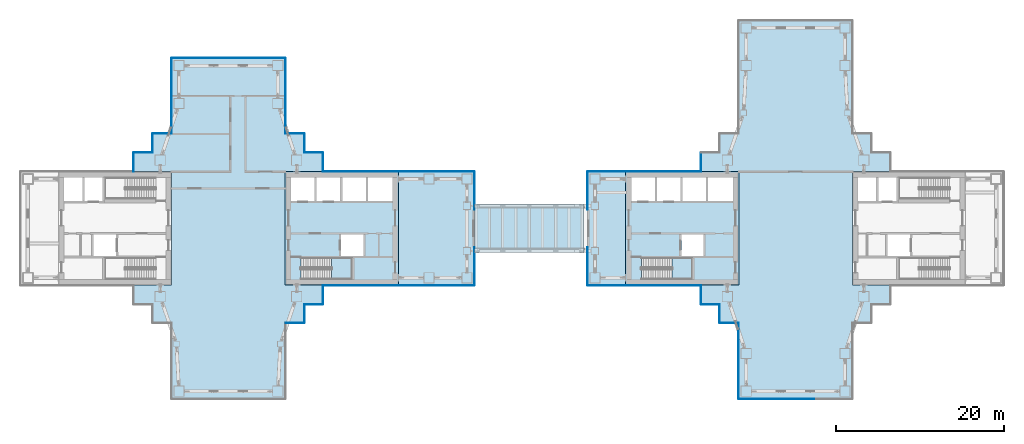
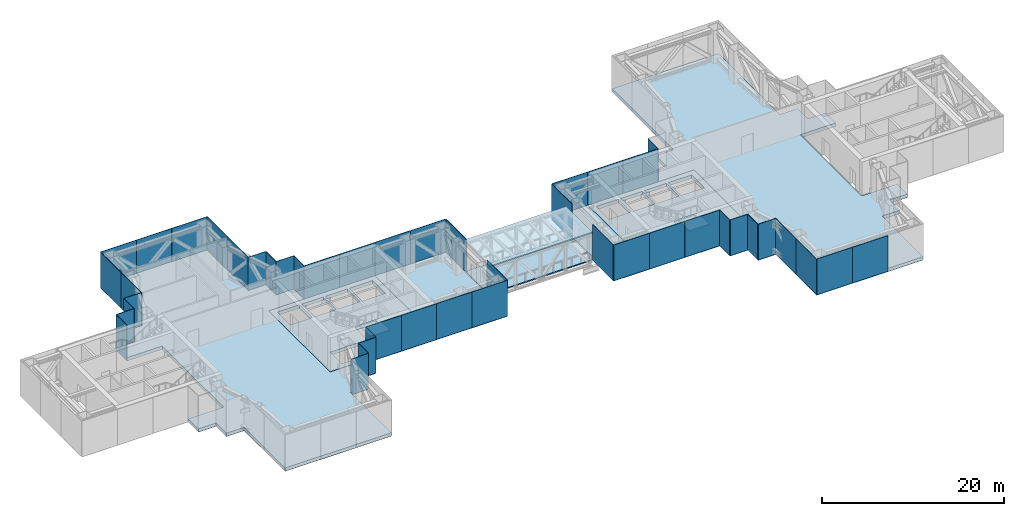
# One storey, part 8 of 21: 46 plates, 10 slabs, 22 elements without a shape of their own.
"""IFC4 building model written with IfcOpenShell, lengths in metres."""

from ifc_helpers import new_model, si_unit, direction, frame, origin, origin_2d, place, context, subcontext, project, spatial, polyline, rectangle, outline, extrude, material, layer, layer_set, type_object, element, aggregate, save


model = new_model("IFC4")

# Units and contexts
model_context = context("Model", 3, precision=1e-05, world=origin(), true_north=direction((0.0, 1.0)))
body_context = subcontext(model_context, "Body", "Model", "MODEL_VIEW")
ifc_project = project(units=[si_unit("LENGTHUNIT", "METRE"), si_unit("AREAUNIT", "SQUARE_METRE"), si_unit("VOLUMEUNIT", "CUBIC_METRE"), si_unit("PLANEANGLEUNIT", "RADIAN"), si_unit("MASSUNIT", "GRAM", prefix="KILO")], contexts=[model_context])

# Site, building, storey
site_placement = place(None, origin())
site = spatial("IfcSite", under=ifc_project, at=site_placement, CompositionType="ELEMENT")
building_placement = place(site_placement, origin())
building = spatial("IfcBuilding", under=site, at=building_placement, Name="Shamsa Quay Exchange Towers", CompositionType="ELEMENT")
storey_placement = place(building_placement, frame((0.0, 0.0, 128.699951171875)))
storey = spatial("IfcBuildingStorey", under=building, at=storey_placement, Name="L30", CompositionType="ELEMENT", Elevation=128.699951171875)

# Slabs
ifc_material_1 = material(Name="Concrete C50/60", Category="concrete")
ifc_layer_1 = layer(ifc_material_1, 0.449951171875)
ifc_layer_set_1 = layer_set([ifc_layer_1], Name="CORE FLOOR 450 C50/60")
slab_type_1 = type_object("IfcSlabType", Name="CORE FLOOR 450 C50/60", PredefinedType="FLOOR", material=ifc_layer_set_1)
slab_1_placement = place(storey_placement, frame((0.0, 0.0, -0.449951171875)))
element("IfcSlab", 1, at=slab_1_placement, inside=storey, type_object=slab_type_1, Name="Core floor T1A", PredefinedType="FLOOR", context=body_context, shape_type="SweptSolid", body=[
    extrude(outline(polyline([(-27.0, -6.75), (-13.5, -6.75), (-13.5, 6.75), (-27.0, 6.75), (-27.0, -6.75)]), holes=[polyline([(-25.099365234375, -6.050048828125), (-25.099365234375, -3.5), (-19.0, -3.5), (-19.0, -6.050048828125), (-25.099365234375, -6.050048828125)]), polyline([(-26.300048828125, 3.25), (-26.300048828125, 6.050048828125), (-23.5, 6.050048828125), (-23.5, 3.25), (-26.300048828125, 3.25)]), polyline([(-23.25, 3.25), (-23.25, 6.050048828125), (-20.449951171875, 6.050048828125), (-20.449951171875, 3.25), (-23.25, 3.25)]), polyline([(-20.199951171875, 3.25), (-20.199951171875, 6.050048828125), (-17.39990234375, 6.050048828125), (-17.39990234375, 3.25), (-20.199951171875, 3.25)]), polyline([(-17.14990234375, 3.25), (-17.14990234375, 6.050048828125), (-14.199951171875, 6.050048828125), (-14.199951171875, 3.25), (-17.14990234375, 3.25)]), polyline([(-20.35009765625, -3.25), (-20.35009765625, -0.75), (-17.699951171875, -0.75), (-17.699951171875, -3.25), (-20.35009765625, -3.25)])]), origin(), (0.0, 0.0, 1.0), 0.449951171875),
])
slab_2_placement = place(storey_placement, frame((0.0, 0.0, -0.449951171875)))
element("IfcSlab", 2, at=slab_2_placement, inside=storey, type_object=slab_type_1, Name="Core floor T2A", PredefinedType="FLOOR", context=body_context, shape_type="SweptSolid", body=[
    extrude(outline(polyline([(13.5, -6.75), (27.0, -6.75), (27.0, 6.75), (13.5, 6.75), (13.5, -6.75)]), holes=[polyline([(15.400634765625, -6.050048828125), (15.400634765625, -3.5), (21.5, -3.5), (21.5, -6.050048828125), (15.400634765625, -6.050048828125)]), polyline([(14.199951171875, 3.25), (14.199951171875, 6.050048828125), (17.0, 6.050048828125), (17.0, 3.25), (14.199951171875, 3.25)]), polyline([(17.25, 3.25), (17.25, 6.050048828125), (20.050048828125, 6.050048828125), (20.050048828125, 3.25), (17.25, 3.25)]), polyline([(20.300048828125, 3.25), (20.300048828125, 6.050048828125), (23.10009765625, 6.050048828125), (23.10009765625, 3.25), (20.300048828125, 3.25)]), polyline([(23.35009765625, 3.25), (23.35009765625, 6.050048828125), (26.300048828125, 6.050048828125), (26.300048828125, 3.25), (23.35009765625, 3.25)]), polyline([(20.14990234375, -3.25), (20.14990234375, -0.75), (22.800048828125, -0.75), (22.800048828125, -3.25), (20.14990234375, -3.25)])]), origin(), (0.0, 0.0, 1.0), 0.449951171875),
])

# Stair, slab
ifc_material_2 = material(Name="Concrete C40/50", Category="concrete")
stair_type = type_object("IfcStairType", Name="EXIT STAIR 28 RISERS 171 MM", PredefinedType="HALF_TURN_STAIR", material=ifc_material_2)
stair_1_placement = place(storey_placement, origin())
stair_1 = element("IfcStair", 3, at=stair_1_placement, inside=storey, type_object=stair_type, Name="L30 Exit stair ST1", PredefinedType="HALF_TURN_STAIR")
ifc_layer_2 = layer(ifc_material_2, 0.199951171875)
ifc_layer_set_2 = layer_set([ifc_layer_2], Name="CORE STAIR LANDING")
slab_type_2 = type_object("IfcSlabType", Name="CORE STAIR LANDING", PredefinedType="LANDING", material=ifc_layer_set_2)
slab_3_placement = place(storey_placement, frame((0.0, 0.0, 2.199951171875)))
slab_3 = element("IfcSlab", 4, at=slab_3_placement, type_object=slab_type_2, Name="ST1 landing 1", PredefinedType="LANDING", context=body_context, shape_type="SweptSolid", body=[
    extrude(outline(polyline([(-21.4599609375, -6.050048828125), (-19.0, -6.050048828125), (-19.0, -3.5), (-21.4599609375, -3.5), (-21.4599609375, -6.050048828125)])), origin(), (0.0, 0.0, 1.0), 0.2001953125),
])
aggregate(stair_1, [slab_3])

stair_2_placement = place(storey_placement, origin())
stair_2 = element("IfcStair", 5, at=stair_2_placement, inside=storey, type_object=stair_type, Name="L30 Exit stair ST4", PredefinedType="HALF_TURN_STAIR")
slab_4_placement = place(storey_placement, frame((0.0, 0.0, 2.199951171875)))
slab_4 = element("IfcSlab", 6, at=slab_4_placement, type_object=slab_type_2, Name="ST4 landing 1", PredefinedType="LANDING", context=body_context, shape_type="SweptSolid", body=[
    extrude(outline(polyline([(19.0400390625, -6.050048828125), (21.5, -6.050048828125), (21.5, -3.5), (19.0400390625, -3.5), (19.0400390625, -6.050048828125)])), origin(), (0.0, 0.0, 1.0), 0.2001953125),
])
aggregate(stair_2, [slab_4])

# Curtain wall, plates
ifc_material_3 = material(Name="Aluminium EN AW-6063 T6, black anodised", Category="aluminium")
ifc_layer_3 = layer(ifc_material_3, 0.320068359375)
ifc_layer_set_3 = layer_set([ifc_layer_3], Name="CW-7 BELT-LEVEL LOUVRE PANEL WALL")
curtain_wall_type = type_object("IfcCurtainWallType", Name="CW-7 BELT-LEVEL LOUVRE PANEL WALL", PredefinedType="NOTDEFINED", material=ifc_layer_set_3)
curtain_wall_1_placement = place(storey_placement, origin())
curtain_wall_1 = element("IfcCurtainWall", 7, at=curtain_wall_1_placement, inside=storey, type_object=curtain_wall_type, Name="CW7 T1-FLK-U+S L30", PredefinedType="NOTDEFINED")
ifc_material_4 = material(Name="Aluminium louvre panel, black anodised, with insulated fire-rated backing", Category="aluminium")
ifc_layer_4 = layer(ifc_material_4, 0.06005859375)
ifc_layer_set_4 = layer_set([ifc_layer_4], Name="CW-7 LOUVRE PANEL 60")
plate_type = type_object("IfcPlateType", Name="CW-7 LOUVRE PANEL 60", PredefinedType="CURTAIN_PANEL", material=ifc_layer_set_4)
plate_1_placement = place(storey_placement, frame((-20.2060546875, -6.780029296875, -0.35009765625)))
plate_1 = element("IfcPlate", 8, at=plate_1_placement, type_object=plate_type, Name="CW7 glass panel", PredefinedType="CURTAIN_PANEL", context=body_context, shape_type="SweptSolid", body=[
    extrude(rectangle(XDim=4.464111328125, YDim=0.06005859375, at=origin_2d()), origin(), (0.0, 0.0, 1.0), 4.800048828125),
])
plate_2_placement = place(storey_placement, frame((-15.73193359375, -6.780029296875, -0.35009765625)))
plate_2 = element("IfcPlate", 9, at=plate_2_placement, type_object=plate_type, Name="CW7 glass panel", PredefinedType="CURTAIN_PANEL", context=body_context, shape_type="SweptSolid", body=[
    extrude(rectangle(XDim=4.464111328125, YDim=0.06005859375, at=origin_2d()), origin(), (0.0, 0.0, 1.0), 4.800048828125),
])
aggregate(curtain_wall_1, [plate_1, plate_2])

curtain_wall_2_placement = place(storey_placement, origin())
curtain_wall_2 = element("IfcCurtainWall", 10, at=curtain_wall_2_placement, inside=storey, type_object=curtain_wall_type, Name="CW7 T1-FLK-U+S L30", PredefinedType="NOTDEFINED")
plate_3_placement = place(storey_placement, frame((-11.25244140625, -6.780029296875, -0.35009765625)))
plate_3 = element("IfcPlate", 11, at=plate_3_placement, type_object=plate_type, Name="CW7 glass panel", PredefinedType="CURTAIN_PANEL", context=body_context, shape_type="SweptSolid", body=[
    extrude(rectangle(XDim=4.4951171875, YDim=0.06005859375, at=origin_2d()), origin(), (0.0, 0.0, 1.0), 4.800048828125),
])
plate_4_placement = place(storey_placement, frame((-6.74755859375, -6.780029296875, -0.35009765625)))
plate_4 = element("IfcPlate", 12, at=plate_4_placement, type_object=plate_type, Name="CW7 glass panel", PredefinedType="CURTAIN_PANEL", context=body_context, shape_type="SweptSolid", body=[
    extrude(rectangle(XDim=4.4951171875, YDim=0.06005859375, at=origin_2d()), origin(), (0.0, 0.0, 1.0), 4.800048828125),
])
aggregate(curtain_wall_2, [plate_3, plate_4])

curtain_wall_3_placement = place(storey_placement, origin())
curtain_wall_3 = element("IfcCurtainWall", 13, at=curtain_wall_3_placement, inside=storey, type_object=curtain_wall_type, Name="CW7 T1-END-U+ L30", PredefinedType="NOTDEFINED")
plate_5_placement = place(storey_placement, frame((-4.469970703125, -4.50244140625, -0.35009765625), z_axis=(0.0, 0.0, 1.0), x_axis=(0.0, 1.0, 0.0)))
plate_5 = element("IfcPlate", 14, at=plate_5_placement, type_object=plate_type, Name="CW7 glass panel", PredefinedType="CURTAIN_PANEL", context=body_context, shape_type="SweptSolid", body=[
    extrude(rectangle(XDim=4.4951171875, YDim=0.06005859375, at=origin_2d()), origin(), (0.0, 0.0, 1.0), 4.800048828125),
])
plate_6_placement = place(storey_placement, frame((-4.469970703125, 4.50244140625, -0.35009765625), z_axis=(0.0, 0.0, 1.0), x_axis=(0.0, 1.0, 0.0)))
plate_6 = element("IfcPlate", 15, at=plate_6_placement, type_object=plate_type, Name="CW7 glass panel", PredefinedType="CURTAIN_PANEL", context=body_context, shape_type="SweptSolid", body=[
    extrude(rectangle(XDim=4.4951171875, YDim=0.06005859375, at=origin_2d()), origin(), (0.0, 0.0, 1.0), 4.800048828125),
])
aggregate(curtain_wall_3, [plate_5, plate_6])

curtain_wall_4_placement = place(storey_placement, origin())
curtain_wall_4 = element("IfcCurtainWall", 16, at=curtain_wall_4_placement, inside=storey, type_object=curtain_wall_type, Name="CW7 T1-FLK-U+N L30", PredefinedType="NOTDEFINED")
plate_7_placement = place(storey_placement, frame((-6.74755859375, 6.780029296875, -0.35009765625), z_axis=(0.0, 0.0, 1.0), x_axis=(-1.0, 0.0, 0.0)))
plate_7 = element("IfcPlate", 17, at=plate_7_placement, type_object=plate_type, Name="CW7 glass panel", PredefinedType="CURTAIN_PANEL", context=body_context, shape_type="SweptSolid", body=[
    extrude(rectangle(XDim=4.4951171875, YDim=0.06005859375, at=origin_2d()), origin(), (0.0, 0.0, 1.0), 4.800048828125),
])
plate_8_placement = place(storey_placement, frame((-11.25244140625, 6.780029296875, -0.35009765625), z_axis=(0.0, 0.0, 1.0), x_axis=(-1.0, 0.0, 0.0)))
plate_8 = element("IfcPlate", 18, at=plate_8_placement, type_object=plate_type, Name="CW7 glass panel", PredefinedType="CURTAIN_PANEL", context=body_context, shape_type="SweptSolid", body=[
    extrude(rectangle(XDim=4.4951171875, YDim=0.06005859375, at=origin_2d()), origin(), (0.0, 0.0, 1.0), 4.800048828125),
])
aggregate(curtain_wall_4, [plate_7, plate_8])

curtain_wall_5_placement = place(storey_placement, origin())
curtain_wall_5 = element("IfcCurtainWall", 19, at=curtain_wall_5_placement, inside=storey, type_object=curtain_wall_type, Name="CW7 T1-FLK-U+N L30", PredefinedType="NOTDEFINED")
plate_9_placement = place(storey_placement, frame((-15.74755859375, 6.780029296875, -0.35009765625), z_axis=(0.0, 0.0, 1.0), x_axis=(-1.0, 0.0, 0.0)))
plate_9 = element("IfcPlate", 20, at=plate_9_placement, type_object=plate_type, Name="CW7 glass panel", PredefinedType="CURTAIN_PANEL", context=body_context, shape_type="SweptSolid", body=[
    extrude(rectangle(XDim=4.4951171875, YDim=0.06005859375, at=origin_2d()), origin(), (0.0, 0.0, 1.0), 4.800048828125),
])
plate_10_placement = place(storey_placement, frame((-20.25244140625, 6.780029296875, -0.35009765625), z_axis=(0.0, 0.0, 1.0), x_axis=(-1.0, 0.0, 0.0)))
plate_10 = element("IfcPlate", 21, at=plate_10_placement, type_object=plate_type, Name="CW7 glass panel", PredefinedType="CURTAIN_PANEL", context=body_context, shape_type="SweptSolid", body=[
    extrude(rectangle(XDim=4.4951171875, YDim=0.06005859375, at=origin_2d()), origin(), (0.0, 0.0, 1.0), 4.800048828125),
])
aggregate(curtain_wall_5, [plate_9, plate_10])

curtain_wall_6_placement = place(storey_placement, origin())
curtain_wall_6 = element("IfcCurtainWall", 22, at=curtain_wall_6_placement, inside=storey, type_object=curtain_wall_type, Name="CW7 T1-FLK-V+E L30", PredefinedType="NOTDEFINED")
plate_11_placement = place(storey_placement, frame((-26.969970703125, 13.5439453125, -0.35009765625), z_axis=(0.0, 0.0, 1.0), x_axis=(0.0, 1.0, 0.0)))
plate_11 = element("IfcPlate", 23, at=plate_11_placement, type_object=plate_type, Name="CW7 glass panel", PredefinedType="CURTAIN_PANEL", context=body_context, shape_type="SweptSolid", body=[
    extrude(rectangle(XDim=4.464111328125, YDim=0.06005859375, at=origin_2d()), origin(), (0.0, 0.0, 1.0), 4.800048828125),
])
plate_12_placement = place(storey_placement, frame((-26.969970703125, 18.01806640625, -0.35009765625), z_axis=(0.0, 0.0, 1.0), x_axis=(0.0, 1.0, 0.0)))
plate_12 = element("IfcPlate", 24, at=plate_12_placement, type_object=plate_type, Name="CW7 glass panel", PredefinedType="CURTAIN_PANEL", context=body_context, shape_type="SweptSolid", body=[
    extrude(rectangle(XDim=4.464111328125, YDim=0.06005859375, at=origin_2d()), origin(), (0.0, 0.0, 1.0), 4.800048828125),
])
aggregate(curtain_wall_6, [plate_11, plate_12])

curtain_wall_7_placement = place(storey_placement, origin())
curtain_wall_7 = element("IfcCurtainWall", 25, at=curtain_wall_7_placement, inside=storey, type_object=curtain_wall_type, Name="CW7 T1-END-V+ L30", PredefinedType="NOTDEFINED")
plate_13_placement = place(storey_placement, frame((-29.24755859375, 20.280029296875, -0.35009765625), z_axis=(0.0, 0.0, 1.0), x_axis=(-1.0, 0.0, 0.0)))
plate_13 = element("IfcPlate", 26, at=plate_13_placement, type_object=plate_type, Name="CW7 glass panel", PredefinedType="CURTAIN_PANEL", context=body_context, shape_type="SweptSolid", body=[
    extrude(rectangle(XDim=4.4951171875, YDim=0.06005859375, at=origin_2d()), origin(), (0.0, 0.0, 1.0), 4.800048828125),
])
plate_14_placement = place(storey_placement, frame((-33.75, 20.280029296875, -0.35009765625), z_axis=(0.0, 0.0, 1.0), x_axis=(-1.0, 0.0, 0.0)))
plate_14 = element("IfcPlate", 27, at=plate_14_placement, type_object=plate_type, Name="CW7 glass panel", PredefinedType="CURTAIN_PANEL", context=body_context, shape_type="SweptSolid", body=[
    extrude(rectangle(XDim=4.489990234375, YDim=0.06005859375, at=origin_2d()), origin(), (0.0, 0.0, 1.0), 4.800048828125),
])
plate_15_placement = place(storey_placement, frame((-38.25244140625, 20.280029296875, -0.35009765625), z_axis=(0.0, 0.0, 1.0), x_axis=(-1.0, 0.0, 0.0)))
plate_15 = element("IfcPlate", 28, at=plate_15_placement, type_object=plate_type, Name="CW7 glass panel", PredefinedType="CURTAIN_PANEL", context=body_context, shape_type="SweptSolid", body=[
    extrude(rectangle(XDim=4.4951171875, YDim=0.06005859375, at=origin_2d()), origin(), (0.0, 0.0, 1.0), 4.800048828125),
])
aggregate(curtain_wall_7, [plate_13, plate_14, plate_15])

curtain_wall_8_placement = place(storey_placement, origin())
curtain_wall_8 = element("IfcCurtainWall", 29, at=curtain_wall_8_placement, inside=storey, type_object=curtain_wall_type, Name="CW7 T1-FLK-V+W L30", PredefinedType="NOTDEFINED")
plate_16_placement = place(storey_placement, frame((-40.530029296875, 18.00244140625, -0.35009765625), z_axis=(0.0, 0.0, 1.0), x_axis=(0.0, -1.0, 0.0)))
plate_16 = element("IfcPlate", 30, at=plate_16_placement, type_object=plate_type, Name="CW7 glass panel", PredefinedType="CURTAIN_PANEL", context=body_context, shape_type="SweptSolid", body=[
    extrude(rectangle(XDim=4.4951171875, YDim=0.06005859375, at=origin_2d()), origin(), (0.0, 0.0, 1.0), 4.800048828125),
])
plate_17_placement = place(storey_placement, frame((-40.530029296875, 13.49755859375, -0.35009765625), z_axis=(0.0, 0.0, 1.0), x_axis=(0.0, -1.0, 0.0)))
plate_17 = element("IfcPlate", 31, at=plate_17_placement, type_object=plate_type, Name="CW7 glass panel", PredefinedType="CURTAIN_PANEL", context=body_context, shape_type="SweptSolid", body=[
    extrude(rectangle(XDim=4.4951171875, YDim=0.06005859375, at=origin_2d()), origin(), (0.0, 0.0, 1.0), 4.800048828125),
])
aggregate(curtain_wall_8, [plate_16, plate_17])

curtain_wall_9_placement = place(storey_placement, origin())
curtain_wall_9 = element("IfcCurtainWall", 32, at=curtain_wall_9_placement, inside=storey, type_object=curtain_wall_type, Name="CW7 PKES L30", PredefinedType="NOTDEFINED")
plate_18_placement = place(storey_placement, frame((-25.843994140625, -11.280029296875, -0.35009765625)))
plate_18 = element("IfcPlate", 33, at=plate_18_placement, type_object=plate_type, Name="CW7 glass panel", PredefinedType="CURTAIN_PANEL", context=body_context, shape_type="SweptSolid", body=[
    extrude(rectangle(XDim=2.18798828125, YDim=0.06005859375, at=origin_2d()), origin(), (0.0, 0.0, 1.0), 4.800048828125),
])
plate_19_placement = place(storey_placement, frame((-24.719970703125, -10.125, -0.35009765625), z_axis=(0.0, 0.0, 1.0), x_axis=(0.0, 1.0, 0.0)))
plate_19 = element("IfcPlate", 34, at=plate_19_placement, type_object=plate_type, Name="CW7 glass panel", PredefinedType="CURTAIN_PANEL", context=body_context, shape_type="SweptSolid", body=[
    extrude(rectangle(XDim=2.25, YDim=0.06005859375, at=origin_2d()), origin(), (0.0, 0.0, 1.0), 4.800048828125),
])
plate_20_placement = place(storey_placement, frame((-23.593994140625, -9.030029296875, -0.35009765625)))
plate_20 = element("IfcPlate", 35, at=plate_20_placement, type_object=plate_type, Name="CW7 glass panel", PredefinedType="CURTAIN_PANEL", context=body_context, shape_type="SweptSolid", body=[
    extrude(rectangle(XDim=2.18798828125, YDim=0.06005859375, at=origin_2d()), origin(), (0.0, 0.0, 1.0), 4.800048828125),
])
plate_21_placement = place(storey_placement, frame((-22.469970703125, -7.875, -0.35009765625), z_axis=(0.0, 0.0, 1.0), x_axis=(0.0, 1.0, 0.0)))
plate_21 = element("IfcPlate", 36, at=plate_21_placement, type_object=plate_type, Name="CW7 glass panel", PredefinedType="CURTAIN_PANEL", context=body_context, shape_type="SweptSolid", body=[
    extrude(rectangle(XDim=2.25, YDim=0.06005859375, at=origin_2d()), origin(), (0.0, 0.0, 1.0), 4.800048828125),
])
aggregate(curtain_wall_9, [plate_18, plate_19, plate_20, plate_21])

curtain_wall_10_placement = place(storey_placement, origin())
curtain_wall_10 = element("IfcCurtainWall", 37, at=curtain_wall_10_placement, inside=storey, type_object=curtain_wall_type, Name="CW7 PKEN L30", PredefinedType="NOTDEFINED")
plate_22_placement = place(storey_placement, frame((-22.469970703125, 7.906005859375, -0.35009765625), z_axis=(0.0, 0.0, 1.0), x_axis=(0.0, 1.0, 0.0)))
plate_22 = element("IfcPlate", 38, at=plate_22_placement, type_object=plate_type, Name="CW7 glass panel", PredefinedType="CURTAIN_PANEL", context=body_context, shape_type="SweptSolid", body=[
    extrude(rectangle(XDim=2.18798828125, YDim=0.06005859375, at=origin_2d()), origin(), (0.0, 0.0, 1.0), 4.800048828125),
])
plate_23_placement = place(storey_placement, frame((-23.625, 9.030029296875, -0.35009765625), z_axis=(0.0, 0.0, 1.0), x_axis=(-1.0, 0.0, 0.0)))
plate_23 = element("IfcPlate", 39, at=plate_23_placement, type_object=plate_type, Name="CW7 glass panel", PredefinedType="CURTAIN_PANEL", context=body_context, shape_type="SweptSolid", body=[
    extrude(rectangle(XDim=2.25, YDim=0.06005859375, at=origin_2d()), origin(), (0.0, 0.0, 1.0), 4.800048828125),
])
plate_24_placement = place(storey_placement, frame((-24.719970703125, 10.156005859375, -0.35009765625), z_axis=(0.0, 0.0, 1.0), x_axis=(0.0, 1.0, 0.0)))
plate_24 = element("IfcPlate", 40, at=plate_24_placement, type_object=plate_type, Name="CW7 glass panel", PredefinedType="CURTAIN_PANEL", context=body_context, shape_type="SweptSolid", body=[
    extrude(rectangle(XDim=2.18798828125, YDim=0.06005859375, at=origin_2d()), origin(), (0.0, 0.0, 1.0), 4.800048828125),
])
plate_25_placement = place(storey_placement, frame((-25.875, 11.280029296875, -0.35009765625), z_axis=(0.0, 0.0, 1.0), x_axis=(-1.0, 0.0, 0.0)))
plate_25 = element("IfcPlate", 41, at=plate_25_placement, type_object=plate_type, Name="CW7 glass panel", PredefinedType="CURTAIN_PANEL", context=body_context, shape_type="SweptSolid", body=[
    extrude(rectangle(XDim=2.25, YDim=0.06005859375, at=origin_2d()), origin(), (0.0, 0.0, 1.0), 4.800048828125),
])
aggregate(curtain_wall_10, [plate_22, plate_23, plate_24, plate_25])

curtain_wall_11_placement = place(storey_placement, origin())
curtain_wall_11 = element("IfcCurtainWall", 42, at=curtain_wall_11_placement, inside=storey, type_object=curtain_wall_type, Name="CW7 PKWN L30", PredefinedType="NOTDEFINED")
plate_26_placement = place(storey_placement, frame((-41.656005859375, 11.280029296875, -0.35009765625), z_axis=(0.0, 0.0, 1.0), x_axis=(-1.0, 0.0, 0.0)))
plate_26 = element("IfcPlate", 43, at=plate_26_placement, type_object=plate_type, Name="CW7 glass panel", PredefinedType="CURTAIN_PANEL", context=body_context, shape_type="SweptSolid", body=[
    extrude(rectangle(XDim=2.18798828125, YDim=0.06005859375, at=origin_2d()), origin(), (0.0, 0.0, 1.0), 4.800048828125),
])
plate_27_placement = place(storey_placement, frame((-42.780029296875, 10.125, -0.35009765625), z_axis=(0.0, 0.0, 1.0), x_axis=(0.0, -1.0, 0.0)))
plate_27 = element("IfcPlate", 44, at=plate_27_placement, type_object=plate_type, Name="CW7 glass panel", PredefinedType="CURTAIN_PANEL", context=body_context, shape_type="SweptSolid", body=[
    extrude(rectangle(XDim=2.25, YDim=0.06005859375, at=origin_2d()), origin(), (0.0, 0.0, 1.0), 4.800048828125),
])
plate_28_placement = place(storey_placement, frame((-43.906005859375, 9.030029296875, -0.35009765625), z_axis=(0.0, 0.0, 1.0), x_axis=(-1.0, 0.0, 0.0)))
plate_28 = element("IfcPlate", 45, at=plate_28_placement, type_object=plate_type, Name="CW7 glass panel", PredefinedType="CURTAIN_PANEL", context=body_context, shape_type="SweptSolid", body=[
    extrude(rectangle(XDim=2.18798828125, YDim=0.06005859375, at=origin_2d()), origin(), (0.0, 0.0, 1.0), 4.800048828125),
])
plate_29_placement = place(storey_placement, frame((-45.030029296875, 7.875, -0.35009765625), z_axis=(0.0, 0.0, 1.0), x_axis=(0.0, -1.0, 0.0)))
plate_29 = element("IfcPlate", 46, at=plate_29_placement, type_object=plate_type, Name="CW7 glass panel", PredefinedType="CURTAIN_PANEL", context=body_context, shape_type="SweptSolid", body=[
    extrude(rectangle(XDim=2.25, YDim=0.06005859375, at=origin_2d()), origin(), (0.0, 0.0, 1.0), 4.800048828125),
])
aggregate(curtain_wall_11, [plate_26, plate_27, plate_28, plate_29])

curtain_wall_12_placement = place(storey_placement, origin())
curtain_wall_12 = element("IfcCurtainWall", 47, at=curtain_wall_12_placement, inside=storey, type_object=curtain_wall_type, Name="CW7 T2-FLK-V+E L30", PredefinedType="NOTDEFINED")
plate_30_placement = place(storey_placement, frame((20.2060546875, 6.780029296875, -0.35009765625), z_axis=(0.0, 0.0, 1.0), x_axis=(-1.0, 0.0, 0.0)))
plate_30 = element("IfcPlate", 48, at=plate_30_placement, type_object=plate_type, Name="CW7 glass panel", PredefinedType="CURTAIN_PANEL", context=body_context, shape_type="SweptSolid", body=[
    extrude(rectangle(XDim=4.464111328125, YDim=0.06005859375, at=origin_2d()), origin(), (0.0, 0.0, 1.0), 4.800048828125),
])
plate_31_placement = place(storey_placement, frame((15.73193359375, 6.780029296875, -0.35009765625), z_axis=(0.0, 0.0, 1.0), x_axis=(-1.0, 0.0, 0.0)))
plate_31 = element("IfcPlate", 49, at=plate_31_placement, type_object=plate_type, Name="CW7 glass panel", PredefinedType="CURTAIN_PANEL", context=body_context, shape_type="SweptSolid", body=[
    extrude(rectangle(XDim=4.464111328125, YDim=0.06005859375, at=origin_2d()), origin(), (0.0, 0.0, 1.0), 4.800048828125),
])
aggregate(curtain_wall_12, [plate_30, plate_31])

# Curtain wall, plate
curtain_wall_13_placement = place(storey_placement, origin())
curtain_wall_13 = element("IfcCurtainWall", 50, at=curtain_wall_13_placement, inside=storey, type_object=curtain_wall_type, Name="CW7 T2-FLK-V+E L30", PredefinedType="NOTDEFINED")
plate_32_placement = place(storey_placement, frame((11.25, 6.780029296875, -0.35009765625), z_axis=(0.0, 0.0, 1.0), x_axis=(-1.0, 0.0, 0.0)))
plate_32 = element("IfcPlate", 51, at=plate_32_placement, type_object=plate_type, Name="CW7 glass panel", PredefinedType="CURTAIN_PANEL", context=body_context, shape_type="SweptSolid", body=[
    extrude(rectangle(XDim=4.5, YDim=0.06005859375, at=origin_2d()), origin(), (0.0, 0.0, 1.0), 4.800048828125),
])
aggregate(curtain_wall_13, [plate_32])

# Curtain wall, plates
curtain_wall_14_placement = place(storey_placement, origin())
curtain_wall_14 = element("IfcCurtainWall", 52, at=curtain_wall_14_placement, inside=storey, type_object=curtain_wall_type, Name="CW7 T2-END-V+ L30", PredefinedType="NOTDEFINED")
plate_33_placement = place(storey_placement, frame((8.969970703125, 4.50244140625, -0.35009765625), z_axis=(0.0, 0.0, 1.0), x_axis=(0.0, -1.0, 0.0)))
plate_33 = element("IfcPlate", 53, at=plate_33_placement, type_object=plate_type, Name="CW7 glass panel", PredefinedType="CURTAIN_PANEL", context=body_context, shape_type="SweptSolid", body=[
    extrude(rectangle(XDim=4.4951171875, YDim=0.06005859375, at=origin_2d()), origin(), (0.0, 0.0, 1.0), 4.800048828125),
])
plate_34_placement = place(storey_placement, frame((8.969970703125, -4.50244140625, -0.35009765625), z_axis=(0.0, 0.0, 1.0), x_axis=(0.0, -1.0, 0.0)))
plate_34 = element("IfcPlate", 54, at=plate_34_placement, type_object=plate_type, Name="CW7 glass panel", PredefinedType="CURTAIN_PANEL", context=body_context, shape_type="SweptSolid", body=[
    extrude(rectangle(XDim=4.4951171875, YDim=0.06005859375, at=origin_2d()), origin(), (0.0, 0.0, 1.0), 4.800048828125),
])
aggregate(curtain_wall_14, [plate_33, plate_34])

# Curtain wall, plate
curtain_wall_15_placement = place(storey_placement, origin())
curtain_wall_15 = element("IfcCurtainWall", 55, at=curtain_wall_15_placement, inside=storey, type_object=curtain_wall_type, Name="CW7 T2-FLK-V+W L30", PredefinedType="NOTDEFINED")
plate_35_placement = place(storey_placement, frame((11.25, -6.780029296875, -0.35009765625)))
plate_35 = element("IfcPlate", 56, at=plate_35_placement, type_object=plate_type, Name="CW7 glass panel", PredefinedType="CURTAIN_PANEL", context=body_context, shape_type="SweptSolid", body=[
    extrude(rectangle(XDim=4.5, YDim=0.06005859375, at=origin_2d()), origin(), (0.0, 0.0, 1.0), 4.800048828125),
])
aggregate(curtain_wall_15, [plate_35])

# Curtain wall, plates
curtain_wall_16_placement = place(storey_placement, origin())
curtain_wall_16 = element("IfcCurtainWall", 57, at=curtain_wall_16_placement, inside=storey, type_object=curtain_wall_type, Name="CW7 T2-FLK-V+W L30", PredefinedType="NOTDEFINED")
plate_36_placement = place(storey_placement, frame((15.74755859375, -6.780029296875, -0.35009765625)))
plate_36 = element("IfcPlate", 58, at=plate_36_placement, type_object=plate_type, Name="CW7 glass panel", PredefinedType="CURTAIN_PANEL", context=body_context, shape_type="SweptSolid", body=[
    extrude(rectangle(XDim=4.4951171875, YDim=0.06005859375, at=origin_2d()), origin(), (0.0, 0.0, 1.0), 4.800048828125),
])
plate_37_placement = place(storey_placement, frame((20.25244140625, -6.780029296875, -0.35009765625)))
plate_37 = element("IfcPlate", 59, at=plate_37_placement, type_object=plate_type, Name="CW7 glass panel", PredefinedType="CURTAIN_PANEL", context=body_context, shape_type="SweptSolid", body=[
    extrude(rectangle(XDim=4.4951171875, YDim=0.06005859375, at=origin_2d()), origin(), (0.0, 0.0, 1.0), 4.800048828125),
])
aggregate(curtain_wall_16, [plate_36, plate_37])

curtain_wall_17_placement = place(storey_placement, origin())
curtain_wall_17 = element("IfcCurtainWall", 60, at=curtain_wall_17_placement, inside=storey, type_object=curtain_wall_type, Name="CW7 T2-FLK-U-N L30", PredefinedType="NOTDEFINED")
plate_38_placement = place(storey_placement, frame((26.969970703125, -13.5439453125, -0.35009765625), z_axis=(0.0, 0.0, 1.0), x_axis=(0.0, -1.0, 0.0)))
plate_38 = element("IfcPlate", 61, at=plate_38_placement, type_object=plate_type, Name="CW7 glass panel", PredefinedType="CURTAIN_PANEL", context=body_context, shape_type="SweptSolid", body=[
    extrude(rectangle(XDim=4.464111328125, YDim=0.06005859375, at=origin_2d()), origin(), (0.0, 0.0, 1.0), 4.800048828125),
])
plate_39_placement = place(storey_placement, frame((26.969970703125, -18.01806640625, -0.35009765625), z_axis=(0.0, 0.0, 1.0), x_axis=(0.0, -1.0, 0.0)))
plate_39 = element("IfcPlate", 62, at=plate_39_placement, type_object=plate_type, Name="CW7 glass panel", PredefinedType="CURTAIN_PANEL", context=body_context, shape_type="SweptSolid", body=[
    extrude(rectangle(XDim=4.464111328125, YDim=0.06005859375, at=origin_2d()), origin(), (0.0, 0.0, 1.0), 4.800048828125),
])
aggregate(curtain_wall_17, [plate_38, plate_39])

curtain_wall_18_placement = place(storey_placement, origin())
curtain_wall_18 = element("IfcCurtainWall", 63, at=curtain_wall_18_placement, inside=storey, type_object=curtain_wall_type, Name="CW7 T2-END-U- L30", PredefinedType="NOTDEFINED")
plate_40_placement = place(storey_placement, frame((29.24755859375, -20.280029296875, -0.35009765625)))
plate_40 = element("IfcPlate", 64, at=plate_40_placement, type_object=plate_type, Name="CW7 glass panel", PredefinedType="CURTAIN_PANEL", context=body_context, shape_type="SweptSolid", body=[
    extrude(rectangle(XDim=4.4951171875, YDim=0.06005859375, at=origin_2d()), origin(), (0.0, 0.0, 1.0), 4.800048828125),
])
plate_41_placement = place(storey_placement, frame((33.75, -20.280029296875, -0.35009765625)))
plate_41 = element("IfcPlate", 65, at=plate_41_placement, type_object=plate_type, Name="CW7 glass panel", PredefinedType="CURTAIN_PANEL", context=body_context, shape_type="SweptSolid", body=[
    extrude(rectangle(XDim=4.489990234375, YDim=0.06005859375, at=origin_2d()), origin(), (0.0, 0.0, 1.0), 4.800048828125),
])
aggregate(curtain_wall_18, [plate_40, plate_41])

# Curtain wall, plate
curtain_wall_19_placement = place(storey_placement, origin())
curtain_wall_19 = element("IfcCurtainWall", 66, at=curtain_wall_19_placement, inside=storey, type_object=curtain_wall_type, Name="CW7 PKEN L30", PredefinedType="NOTDEFINED")
plate_42_placement = place(storey_placement, frame((22.469970703125, 7.875, -0.35009765625), z_axis=(0.0, 0.0, 1.0), x_axis=(0.0, -1.0, 0.0)))
plate_42 = element("IfcPlate", 67, at=plate_42_placement, type_object=plate_type, Name="CW7 glass panel", PredefinedType="CURTAIN_PANEL", context=body_context, shape_type="SweptSolid", body=[
    extrude(rectangle(XDim=2.25, YDim=0.06005859375, at=origin_2d()), origin(), (0.0, 0.0, 1.0), 4.800048828125),
])
aggregate(curtain_wall_19, [plate_42])

# Curtain wall, plates
curtain_wall_20_placement = place(storey_placement, origin())
curtain_wall_20 = element("IfcCurtainWall", 68, at=curtain_wall_20_placement, inside=storey, type_object=curtain_wall_type, Name="CW7 PKWN L30", PredefinedType="NOTDEFINED")
plate_43_placement = place(storey_placement, frame((22.469970703125, -7.906005859375, -0.35009765625), z_axis=(0.0, 0.0, 1.0), x_axis=(0.0, -1.0, 0.0)))
plate_43 = element("IfcPlate", 69, at=plate_43_placement, type_object=plate_type, Name="CW7 glass panel", PredefinedType="CURTAIN_PANEL", context=body_context, shape_type="SweptSolid", body=[
    extrude(rectangle(XDim=2.18798828125, YDim=0.06005859375, at=origin_2d()), origin(), (0.0, 0.0, 1.0), 4.800048828125),
])
plate_44_placement = place(storey_placement, frame((23.625, -9.030029296875, -0.35009765625)))
plate_44 = element("IfcPlate", 70, at=plate_44_placement, type_object=plate_type, Name="CW7 glass panel", PredefinedType="CURTAIN_PANEL", context=body_context, shape_type="SweptSolid", body=[
    extrude(rectangle(XDim=2.25, YDim=0.06005859375, at=origin_2d()), origin(), (0.0, 0.0, 1.0), 4.800048828125),
])
plate_45_placement = place(storey_placement, frame((24.719970703125, -10.156005859375, -0.35009765625), z_axis=(0.0, 0.0, 1.0), x_axis=(0.0, -1.0, 0.0)))
plate_45 = element("IfcPlate", 71, at=plate_45_placement, type_object=plate_type, Name="CW7 glass panel", PredefinedType="CURTAIN_PANEL", context=body_context, shape_type="SweptSolid", body=[
    extrude(rectangle(XDim=2.18798828125, YDim=0.06005859375, at=origin_2d()), origin(), (0.0, 0.0, 1.0), 4.800048828125),
])
plate_46_placement = place(storey_placement, frame((25.875, -11.280029296875, -0.35009765625)))
plate_46 = element("IfcPlate", 72, at=plate_46_placement, type_object=plate_type, Name="CW7 glass panel", PredefinedType="CURTAIN_PANEL", context=body_context, shape_type="SweptSolid", body=[
    extrude(rectangle(XDim=2.25, YDim=0.06005859375, at=origin_2d()), origin(), (0.0, 0.0, 1.0), 4.800048828125),
])
aggregate(curtain_wall_20, [plate_43, plate_44, plate_45, plate_46])

# Slabs
ifc_layer_5 = layer(ifc_material_2, 0.449951171875)
ifc_layer_set_5 = layer_set([ifc_layer_5], Name="Flat slab 450")
slab_type_3 = type_object("IfcSlabType", Name="Flat slab 450", PredefinedType="FLOOR", material=ifc_layer_set_5)
slab_5_placement = place(storey_placement, frame((0.0, 0.0, -0.449951171875)))
element("IfcSlab", 73, at=slab_5_placement, inside=storey, type_object=slab_type_3, Name="Flat slab T1 L30 2", PredefinedType="FLOOR", context=body_context, shape_type="SweptSolid", body=[
    extrude(outline(polyline([(-22.5, -9.0), (-22.5, -6.75), (-27.0, -6.75), (-27.0, 6.75), (-22.5, 6.75), (-22.5, 9.0), (-24.75, 9.0), (-24.75, 11.25), (-27.0, 11.25), (-27.0, 20.25), (-40.5, 20.25), (-40.5, 11.25), (-42.75, 11.25), (-42.75, 9.0), (-45.0, 9.0), (-45.0, 6.75), (-40.5, 6.75), (-40.5, -6.75), (-45.0, -6.75), (-45.0, -9.0), (-42.75, -9.0), (-42.75, -11.25), (-40.5, -11.25), (-40.5, -20.25), (-27.0, -20.25), (-27.0, -11.25), (-24.75, -11.25), (-24.75, -9.0), (-22.5, -9.0)])), origin(), (0.0, 0.0, 1.0), 0.449951171875),
])
slab_6_placement = place(storey_placement, frame((0.0, 0.0, -0.449951171875)))
element("IfcSlab", 74, at=slab_6_placement, inside=storey, type_object=slab_type_3, Name="Flat slab T1 L30 3", PredefinedType="FLOOR", context=body_context, shape_type="SweptSolid", body=[
    extrude(outline(polyline([(-4.5, 6.75), (-13.5, 6.75), (-13.5, -6.75), (-4.5, -6.75), (-4.5, 6.75)])), origin(), (0.0, 0.0, 1.0), 0.449951171875),
])
slab_7_placement = place(storey_placement, frame((0.0, 0.0, -0.449951171875)))
element("IfcSlab", 75, at=slab_7_placement, inside=storey, type_object=slab_type_3, Name="Flat slab T2 L30 4", PredefinedType="FLOOR", context=body_context, shape_type="SweptSolid", body=[
    extrude(outline(polyline([(9.0, -6.75), (13.5, -6.75), (13.5, 6.75), (9.0, 6.75), (9.0, -6.75)])), origin(), (0.0, 0.0, 1.0), 0.449951171875),
])
slab_8_placement = place(storey_placement, frame((0.0, 0.0, -0.449951171875)))
element("IfcSlab", 76, at=slab_8_placement, inside=storey, type_object=slab_type_3, Name="Flat slab T2 L30 5", PredefinedType="FLOOR", context=body_context, shape_type="SweptSolid", body=[
    extrude(outline(polyline([(45.0, -9.0), (45.0, -6.75), (40.5, -6.75), (40.5, 6.75), (45.0, 6.75), (45.0, 9.0), (42.75, 9.0), (42.75, 11.25), (40.5, 11.25), (40.5, 24.75), (27.0, 24.75), (27.0, 11.25), (24.75, 11.25), (24.75, 9.0), (22.5, 9.0), (22.5, 6.75), (27.0, 6.75), (27.0, -6.75), (22.5, -6.75), (22.5, -9.0), (24.75, -9.0), (24.75, -11.25), (27.0, -11.25), (27.0, -20.25), (40.5, -20.25), (40.5, -11.25), (42.75, -11.25), (42.75, -9.0), (45.0, -9.0)])), origin(), (0.0, 0.0, 1.0), 0.449951171875),
])
ifc_layer_6 = layer(ifc_material_2, 0.14990234375)
ifc_layer_set_6 = layer_set([ifc_layer_6], Name="Skybridge deck slab 150")
slab_type_4 = type_object("IfcSlabType", Name="Skybridge deck slab 150", PredefinedType="FLOOR", material=ifc_layer_set_6)
slab_9_placement = place(storey_placement, frame((0.0, 0.0, -0.14990234375)))
element("IfcSlab", 77, at=slab_9_placement, inside=storey, type_object=slab_type_4, Name="Skybridge BR2 deck", PredefinedType="FLOOR", context=body_context, shape_type="SweptSolid", body=[
    extrude(outline(polyline([(-4.449951171875, -2.513671875), (8.550048828125, -2.513671875), (8.550048828125, 2.513671875), (-4.449951171875, 2.513671875), (-4.449951171875, -2.513671875)])), origin(), (0.0, 0.0, 1.0), 0.14990234375),
])
ifc_layer_7 = layer(ifc_material_2, 0.14990234375)
ifc_layer_set_7 = layer_set([ifc_layer_7], Name="Skybridge roof slab 150")
slab_type_5 = type_object("IfcSlabType", Name="Skybridge roof slab 150", PredefinedType="ROOF", material=ifc_layer_set_7)
slab_10_placement = place(storey_placement, frame((0.0, 0.0, 3.807861328125)))
element("IfcSlab", 78, at=slab_10_placement, inside=storey, type_object=slab_type_5, Name="Skybridge BR2 roof", PredefinedType="ROOF", context=body_context, shape_type="SweptSolid", body=[
    extrude(outline(polyline([(-4.449951171875, -2.88623046875), (8.550048828125, -2.88623046875), (8.550048828125, 2.88623046875), (-4.449951171875, 2.88623046875), (-4.449951171875, -2.88623046875)])), origin(), (0.0, 0.0, 1.0), 0.14990234375),
])

save(model, "model.ifc")
